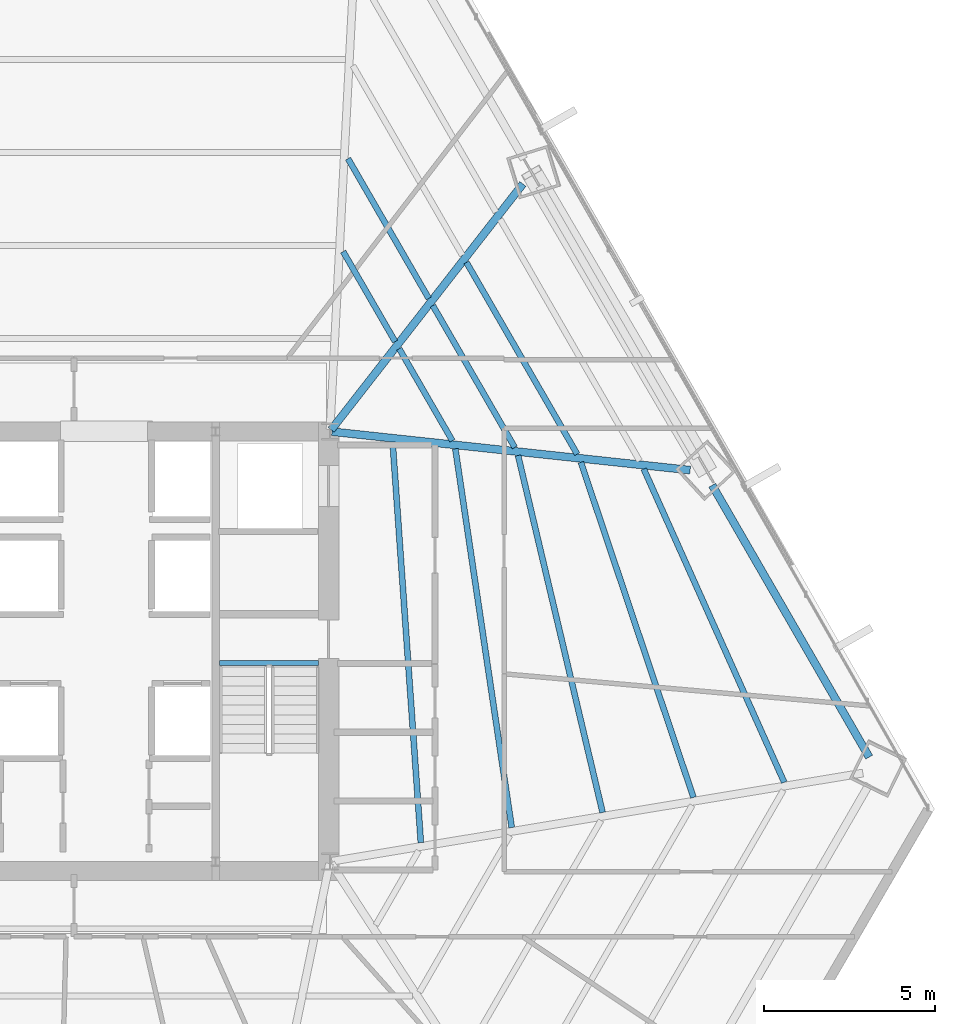
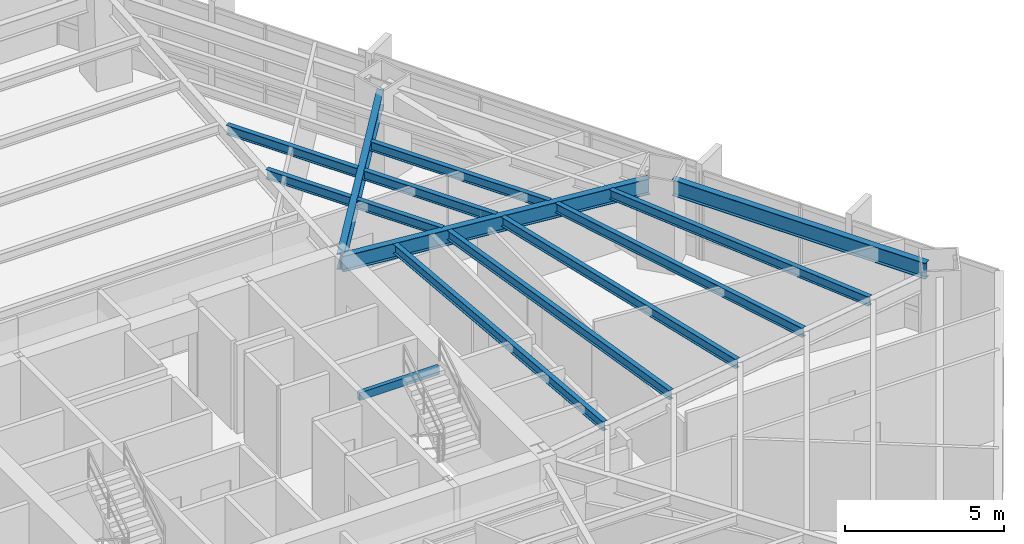
# One storey, part 21 of 36: 14 beams.
"""IFC4 building model written with IfcOpenShell, lengths in metres."""

from ifc_helpers import new_model, si_unit, direction, frame, origin, origin_2d, place, context, subcontext, project, spatial, hollow_rectangle, i_section, extrude, source, transform, mapped, material, material_profile, profile_set, type_object, type_shapes, element, save


model = new_model("IFC4")

# Units and contexts
model_context = context("Model", 3, precision=1e-05, world=origin(), true_north=direction((0.0, 1.0)))
body_context = subcontext(model_context, "Body", "Model", "MODEL_VIEW")
ifc_project = project(units=[si_unit("LENGTHUNIT", "METRE"), si_unit("AREAUNIT", "SQUARE_METRE"), si_unit("VOLUMEUNIT", "CUBIC_METRE"), si_unit("PLANEANGLEUNIT", "RADIAN"), si_unit("MASSUNIT", "GRAM", prefix="KILO")], contexts=[model_context])

# Site, building, storey
site_placement = place(None, origin())
site = spatial("IfcSite", under=ifc_project, at=site_placement, CompositionType="ELEMENT")
building_placement = place(site_placement, origin())
building = spatial("IfcBuilding", under=site, at=building_placement, Name="Caelisora Broadcast Tower", CompositionType="ELEMENT")
storey_placement = place(building_placement, frame((0.0, 0.0, 64.10009765625)))
storey = spatial("IfcBuildingStorey", under=building, at=storey_placement, Name="L16", CompositionType="ELEMENT", Elevation=64.10009765625)

# Beams
ifc_material_1 = material(Name="Steel Grade 350 (AS/NZS 1163 C350L0)", Category="steel")
ifc_material_profile_1 = material_profile(ifc_material_1, hollow_rectangle(XDim=0.14990234375, YDim=0.300048828125, WallThickness=0.010009765625, at=origin_2d()), Name="Steel Grade 350 (AS/NZS 1163 C350L0)")
ifc_profile_set_1 = profile_set([ifc_material_profile_1], Name="Steel Grade 350 (AS/NZS 1163 C350L0)")
beam_type_1 = type_object("IfcBeamType", Name="SB05", PredefinedType="JOIST", material=ifc_profile_set_1)
shared_shape_1 = source(origin(), body_context, "Body", "SweptSolid", [
    extrude(hollow_rectangle(XDim=0.14990234375, YDim=0.300048828125, WallThickness=0.010009765625, at=origin_2d()), origin(), (0.0, 0.0, 1.0), 2.89990234375),
])
type_shapes(beam_type_1, [shared_shape_1])
beam_1_placement = place(storey_placement, frame((42.260009765625, 23.219970703125, 3.25), z_axis=(1.0, 0.0, 0.0), x_axis=(0.0, 1.0, 0.0)))
element("IfcBeam", 1, at=beam_1_placement, inside=storey, type_object=beam_type_1, Name="L16 beam SB05", PredefinedType="JOIST", context=body_context, shape_type="MappedRepresentation", body=[
    mapped(shared_shape_1, transform((0.0, 0.0, 0.0), scale=1.0)),
])
ifc_material_2 = material(Name="Steel Grade 350 (AS/NZS 3679.1)", Category="steel")
ifc_material_profile_2 = material_profile(ifc_material_2, i_section(OverallWidth=0.22900390625, OverallDepth=0.611572265625, WebThickness=0.011962890625, FlangeThickness=0.01953125, at=origin_2d()), Name="Steel Grade 350 (AS/NZS 3679.1)")
ifc_profile_set_2 = profile_set([ifc_material_profile_2], Name="Steel Grade 350 (AS/NZS 3679.1)")
beam_type_2 = type_object("IfcBeamType", Name="PG03", PredefinedType="BEAM", material=ifc_profile_set_2)
shared_shape_2 = source(origin(), body_context, "Body", "SweptSolid", [
    extrude(i_section(OverallWidth=0.22900390625, OverallDepth=0.611572265625, WebThickness=0.011962890625, FlangeThickness=0.01953125, at=origin_2d()), origin(), (0.0, 0.0, 1.0), 9.1953125),
])
type_shapes(beam_type_2, [shared_shape_2])
beam_2_placement = place(storey_placement, frame((61.29541015625, 20.46044921875, 3.093994140625), z_axis=(-0.499999779356, 0.866025531173, 0.0), x_axis=(-0.866025531173, -0.499999779356, 0.0)))
element("IfcBeam", 2, at=beam_2_placement, inside=storey, type_object=beam_type_2, Name="L16 beam PG03", PredefinedType="BEAM", context=body_context, shape_type="MappedRepresentation", body=[
    mapped(shared_shape_2, transform((0.0, 0.0, 0.0), scale=1.0)),
])
ifc_material_profile_3 = material_profile(ifc_material_2, i_section(OverallWidth=0.22802734375, OverallDepth=0.602294921875, WebThickness=0.010498046875, FlangeThickness=0.014892578125, at=origin_2d()), Name="Steel Grade 350 (AS/NZS 3679.1)")
ifc_profile_set_3 = profile_set([ifc_material_profile_3], Name="Steel Grade 350 (AS/NZS 3679.1)")
beam_type_3 = type_object("IfcBeamType", Name="PG04", PredefinedType="BEAM", material=ifc_profile_set_3)
shared_shape_3 = source(origin(), body_context, "Body", "SweptSolid", [
    extrude(i_section(OverallWidth=0.22802734375, OverallDepth=0.602294921875, WebThickness=0.010498046875, FlangeThickness=0.014892578125, at=origin_2d()), origin(), (0.0, 0.0, 1.0), 9.133544921875),
])
beam_3_placement = place(storey_placement, frame((45.536865234375, 30.04736328125, 3.098876953125), z_axis=(0.614758215189, 0.788715624835, 0.0), x_axis=(-0.788715624835, 0.614758215189, 0.0)))
element("IfcBeam", 3, at=beam_3_placement, inside=storey, type_object=beam_type_3, Name="L16 beam PG04", PredefinedType="BEAM", context=body_context, shape_type="MappedRepresentation", body=[
    mapped(shared_shape_3, transform((0.0, 0.0, 0.0), scale=1.0)),
])
shared_shape_4 = source(origin(), body_context, "Body", "SweptSolid", [
    extrude(i_section(OverallWidth=0.22802734375, OverallDepth=0.602294921875, WebThickness=0.010498046875, FlangeThickness=0.014892578125, at=origin_2d()), origin(), (0.0, 0.0, 1.0), 10.55078125),
])
type_shapes(beam_type_3, [shared_shape_3, shared_shape_4])
beam_4_placement = place(storey_placement, frame((45.559814453125, 29.99365234375, 3.098876953125), z_axis=(0.994284177937, -0.106765975401, 0.0), x_axis=(0.106765975401, 0.994284177937, 0.0)))
element("IfcBeam", 4, at=beam_4_placement, inside=storey, type_object=beam_type_3, Name="L16 beam PG04", PredefinedType="BEAM", context=body_context, shape_type="MappedRepresentation", body=[
    mapped(shared_shape_4, transform((0.0, 0.0, 0.0), scale=1.0)),
])
ifc_material_profile_4 = material_profile(ifc_material_2, i_section(OverallWidth=0.172119140625, OverallDepth=0.358642578125, WebThickness=0.008056640625, FlangeThickness=0.012939453125, at=origin_2d()), Name="Steel Grade 350 (AS/NZS 3679.1)")
ifc_profile_set_4 = profile_set([ifc_material_profile_4], Name="Steel Grade 350 (AS/NZS 3679.1)")
beam_type_4 = type_object("IfcBeamType", Name="SB02", PredefinedType="JOIST", material=ifc_profile_set_4)
shared_shape_5 = source(origin(), body_context, "Body", "SweptSolid", [
    extrude(i_section(OverallWidth=0.172119140625, OverallDepth=0.358642578125, WebThickness=0.008056640625, FlangeThickness=0.012939453125, at=origin_2d()), origin(), (0.0, 0.0, 1.0), 3.04541015625),
])
beam_5_placement = place(storey_placement, frame((47.409912109375, 32.63134765625, 3.220703125), z_axis=(-0.49999308822, 0.866029394266, 0.0), x_axis=(-0.866029394266, -0.49999308822, 0.0)))
element("IfcBeam", 5, at=beam_5_placement, inside=storey, type_object=beam_type_4, Name="L16 beam SB02", PredefinedType="JOIST", context=body_context, shape_type="MappedRepresentation", body=[
    mapped(shared_shape_5, transform((0.0, 0.0, 0.0), scale=1.0)),
])
shared_shape_6 = source(origin(), body_context, "Body", "SweptSolid", [
    extrude(i_section(OverallWidth=0.172119140625, OverallDepth=0.358642578125, WebThickness=0.008056640625, FlangeThickness=0.012939453125, at=origin_2d()), origin(), (0.0, 0.0, 1.0), 4.7314453125),
])
beam_6_placement = place(storey_placement, frame((48.39501953125, 33.895263671875, 3.220703125), z_axis=(-0.500012787896, 0.866018020563, 0.0), x_axis=(-0.866018020563, -0.500012787896, 0.0)))
element("IfcBeam", 6, at=beam_6_placement, inside=storey, type_object=beam_type_4, Name="L16 beam SB02", PredefinedType="JOIST", context=body_context, shape_type="MappedRepresentation", body=[
    mapped(shared_shape_6, transform((0.0, 0.0, 0.0), scale=1.0)),
])
shared_shape_7 = source(origin(), body_context, "Body", "SweptSolid", [
    extrude(i_section(OverallWidth=0.172119140625, OverallDepth=0.358642578125, WebThickness=0.008056640625, FlangeThickness=0.012939453125, at=origin_2d()), origin(), (0.0, 0.0, 1.0), 3.11376953125),
])
beam_7_placement = place(storey_placement, frame((49.0869140625, 29.72705078125, 3.220703125), z_axis=(-0.50000977808, 0.866019758334, 0.0), x_axis=(-0.866019758334, -0.50000977808, 0.0)))
element("IfcBeam", 7, at=beam_7_placement, inside=storey, type_object=beam_type_4, Name="L16 beam SB02", PredefinedType="JOIST", context=body_context, shape_type="MappedRepresentation", body=[
    mapped(shared_shape_7, transform((0.0, 0.0, 0.0), scale=1.0)),
])
shared_shape_8 = source(origin(), body_context, "Body", "SweptSolid", [
    extrude(i_section(OverallWidth=0.172119140625, OverallDepth=0.358642578125, WebThickness=0.008056640625, FlangeThickness=0.012939453125, at=origin_2d()), origin(), (0.0, 0.0, 1.0), 4.799560546875),
])
beam_8_placement = place(storey_placement, frame((50.914794921875, 29.53076171875, 3.220703125), z_axis=(-0.500023335103, 0.866011930837, 0.0), x_axis=(-0.866011930837, -0.500023335103, 0.0)))
element("IfcBeam", 8, at=beam_8_placement, inside=storey, type_object=beam_type_4, Name="L16 beam SB02", PredefinedType="JOIST", context=body_context, shape_type="MappedRepresentation", body=[
    mapped(shared_shape_8, transform((0.0, 0.0, 0.0), scale=1.0)),
])
shared_shape_9 = source(origin(), body_context, "Body", "SweptSolid", [
    extrude(i_section(OverallWidth=0.172119140625, OverallDepth=0.358642578125, WebThickness=0.008056640625, FlangeThickness=0.012939453125, at=origin_2d()), origin(), (0.0, 0.0, 1.0), 6.485595703125),
])
beam_9_placement = place(storey_placement, frame((52.742919921875, 29.33447265625, 3.220703125), z_axis=(-0.50001354319, 0.866017584479, 0.0), x_axis=(-0.866017584479, -0.50001354319, 0.0)))
element("IfcBeam", 9, at=beam_9_placement, inside=storey, type_object=beam_type_4, Name="L16 beam SB02", PredefinedType="JOIST", context=body_context, shape_type="MappedRepresentation", body=[
    mapped(shared_shape_9, transform((0.0, 0.0, 0.0), scale=1.0)),
])
shared_shape_10 = source(origin(), body_context, "Body", "SweptSolid", [
    extrude(i_section(OverallWidth=0.172119140625, OverallDepth=0.358642578125, WebThickness=0.008056640625, FlangeThickness=0.012939453125, at=origin_2d()), origin(), (0.0, 0.0, 1.0), 11.765380859375),
])
beam_10_placement = place(storey_placement, frame((48.1630859375, 17.954833984375, 3.220703125), z_axis=(-0.070303231789, 0.997525666637, 0.0), x_axis=(-0.997525666637, -0.070303231789, 0.0)))
element("IfcBeam", 10, at=beam_10_placement, inside=storey, type_object=beam_type_4, Name="L16 beam SB02", PredefinedType="JOIST", context=body_context, shape_type="MappedRepresentation", body=[
    mapped(shared_shape_10, transform((0.0, 0.0, 0.0), scale=1.0)),
])
shared_shape_11 = source(origin(), body_context, "Body", "SweptSolid", [
    extrude(i_section(OverallWidth=0.172119140625, OverallDepth=0.358642578125, WebThickness=0.008056640625, FlangeThickness=0.012939453125, at=origin_2d()), origin(), (0.0, 0.0, 1.0), 11.218994140625),
])
beam_11_placement = place(storey_placement, frame((50.825439453125, 18.397216796875, 3.220703125), z_axis=(-0.147301790975, 0.989091594533, 0.0), x_axis=(-0.989091594533, -0.147301790975, 0.0)))
element("IfcBeam", 11, at=beam_11_placement, inside=storey, type_object=beam_type_4, Name="L16 beam SB02", PredefinedType="JOIST", context=body_context, shape_type="MappedRepresentation", body=[
    mapped(shared_shape_11, transform((0.0, 0.0, 0.0), scale=1.0)),
])
shared_shape_12 = source(origin(), body_context, "Body", "SweptSolid", [
    extrude(i_section(OverallWidth=0.172119140625, OverallDepth=0.358642578125, WebThickness=0.008056640625, FlangeThickness=0.012939453125, at=origin_2d()), origin(), (0.0, 0.0, 1.0), 10.74609375),
])
beam_12_placement = place(storey_placement, frame((53.487060546875, 18.83935546875, 3.220703125), z_axis=(-0.230414301579, 0.9730926213, 0.0), x_axis=(-0.9730926213, -0.230414301579, 0.0)))
element("IfcBeam", 12, at=beam_12_placement, inside=storey, type_object=beam_type_4, Name="L16 beam SB02", PredefinedType="JOIST", context=body_context, shape_type="MappedRepresentation", body=[
    mapped(shared_shape_12, transform((0.0, 0.0, 0.0), scale=1.0)),
])
shared_shape_13 = source(origin(), body_context, "Body", "SweptSolid", [
    extrude(i_section(OverallWidth=0.172119140625, OverallDepth=0.358642578125, WebThickness=0.008056640625, FlangeThickness=0.012939453125, at=origin_2d()), origin(), (0.0, 0.0, 1.0), 10.35595703125),
])
beam_13_placement = place(storey_placement, frame((56.14794921875, 19.281494140625, 3.220703125), z_axis=(-0.318376970925, 0.9479641894, 0.0), x_axis=(-0.9479641894, -0.318376970925, 0.0)))
element("IfcBeam", 13, at=beam_13_placement, inside=storey, type_object=beam_type_4, Name="L16 beam SB02", PredefinedType="JOIST", context=body_context, shape_type="MappedRepresentation", body=[
    mapped(shared_shape_13, transform((0.0, 0.0, 0.0), scale=1.0)),
])
shared_shape_14 = source(origin(), body_context, "Body", "SweptSolid", [
    extrude(i_section(OverallWidth=0.172119140625, OverallDepth=0.358642578125, WebThickness=0.008056640625, FlangeThickness=0.012939453125, at=origin_2d()), origin(), (0.0, 0.0, 1.0), 10.057861328125),
])
type_shapes(beam_type_4, [shared_shape_5, shared_shape_6, shared_shape_7, shared_shape_8, shared_shape_9, shared_shape_10, shared_shape_11, shared_shape_12, shared_shape_13, shared_shape_14])
beam_14_placement = place(storey_placement, frame((58.8076171875, 19.723388671875, 3.220703125), z_axis=(-0.409133963113, 0.912474328531, 0.0), x_axis=(-0.912474328531, -0.409133963113, 0.0)))
element("IfcBeam", 14, at=beam_14_placement, inside=storey, type_object=beam_type_4, Name="L16 beam SB02", PredefinedType="JOIST", context=body_context, shape_type="MappedRepresentation", body=[
    mapped(shared_shape_14, transform((0.0, 0.0, 0.0), scale=1.0)),
])

save(model, "model.ifc")
